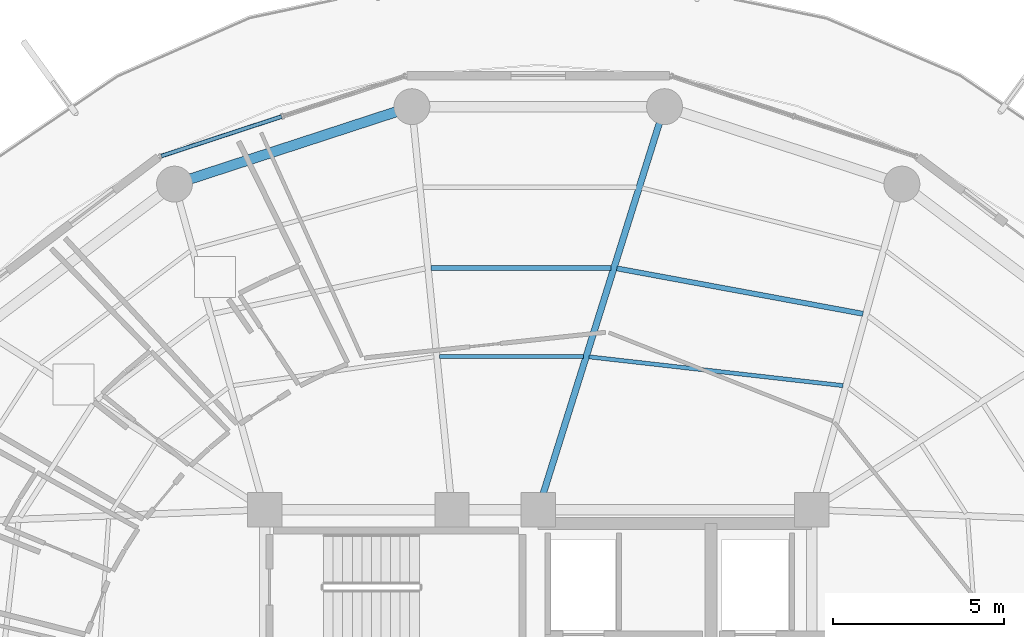
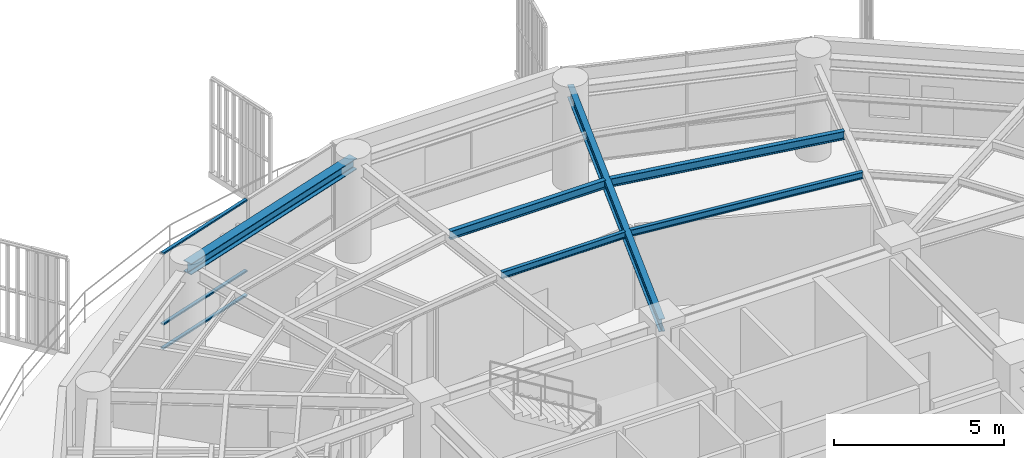
# One storey, part 19 of 31: 6 beams, 3 members, 1 element without a shape of its own.
"""IFC4 building model written with IfcOpenShell, lengths in metres."""

from ifc_helpers import new_model, si_unit, direction, frame, origin, origin_2d, place, context, subcontext, project, spatial, hollow_rectangle, i_section, extrude, material, layer, layer_set, material_profile, profile_set, type_object, element, aggregate, save


model = new_model("IFC4")

# Units and contexts
model_context = context("Model", 3, precision=1e-05, world=origin(), true_north=direction((0.0, 1.0)))
body_context = subcontext(model_context, "Body", "Model", "MODEL_VIEW")
ifc_project = project(units=[si_unit("LENGTHUNIT", "METRE"), si_unit("AREAUNIT", "SQUARE_METRE"), si_unit("VOLUMEUNIT", "CUBIC_METRE"), si_unit("PLANEANGLEUNIT", "RADIAN"), si_unit("MASSUNIT", "GRAM", prefix="KILO")], contexts=[model_context])

# Site, building, storey
site_placement = place(None, origin())
site = spatial("IfcSite", under=ifc_project, at=site_placement, CompositionType="ELEMENT")
building_placement = place(site_placement, origin())
building = spatial("IfcBuilding", under=site, at=building_placement, Name="Kelanora Arch Commons", CompositionType="ELEMENT")
storey_placement = place(building_placement, frame((0.0, 0.0, 226.949951171875)))
storey = spatial("IfcBuildingStorey", under=building, at=storey_placement, Name="L58", CompositionType="ELEMENT", Elevation=226.949951171875)

# Beams
ifc_material_1 = material(Name="Steel S355", Category="steel")
ifc_material_profile_1 = material_profile(ifc_material_1, i_section(OverallWidth=0.14990234375, OverallDepth=0.300048828125, WebThickness=0.007080078125, FlangeThickness=0.0107421875, FilletRadius=0.014892578125, at=origin_2d()), Name="IPE300")
ifc_profile_set_1 = profile_set([ifc_material_profile_1], Name="Steel S355")
beam_type_1 = type_object("IfcBeamType", Name="BM-JST-01", PredefinedType="JOIST", material=ifc_profile_set_1)
beam_1_placement = place(storey_placement, frame((83.50048828125, 70.729736328125, 3.340087890625), z_axis=(-0.983389964671, 0.181505309519, 0.0), x_axis=(-0.181505309519, -0.983389964671, 0.0)))
element("IfcBeam", 1, at=beam_1_placement, inside=storey, type_object=beam_type_1, Name="Secondary Chord Joist BJB-06 L58", PredefinedType="JOIST", context=body_context, shape_type="SweptSolid", body=[
    extrude(i_section(OverallWidth=0.14990234375, OverallDepth=0.300048828125, WebThickness=0.007080078125, FlangeThickness=0.0107421875, FilletRadius=0.014892578125, at=origin_2d()), origin(), (0.0, 0.0, 1.0), 7.3212890625),
])
beam_2_placement = place(storey_placement, frame((76.132080078125, 72.07421875, 3.340087890625), z_axis=(-1.0, 0.0, 0.0), x_axis=(0.0, -1.0, 0.0)))
element("IfcBeam", 2, at=beam_2_placement, inside=storey, type_object=beam_type_1, Name="Secondary Chord Joist BJB-08 L58", PredefinedType="JOIST", context=body_context, shape_type="SweptSolid", body=[
    extrude(i_section(OverallWidth=0.14990234375, OverallDepth=0.300048828125, WebThickness=0.007080078125, FlangeThickness=0.0107421875, FilletRadius=0.014892578125, at=origin_2d()), origin(), (0.0, 0.0, 1.0), 5.272216796875),
])
ifc_material_profile_2 = material_profile(ifc_material_1, i_section(OverallWidth=0.1201171875, OverallDepth=0.239990234375, WebThickness=0.006103515625, FlangeThickness=0.009765625, FilletRadius=0.014892578125, at=origin_2d()), Name="IPE240")
ifc_profile_set_2 = profile_set([ifc_material_profile_2], Name="Steel S355")
beam_type_2 = type_object("IfcBeamType", Name="BM-JST-02", PredefinedType="JOIST", material=ifc_profile_set_2)
beam_3_placement = place(storey_placement, frame((82.918701171875, 68.628662109375, 3.3701171875), z_axis=(-0.993639672263, 0.11260640171, 0.0), x_axis=(-0.11260640171, -0.993639672263, 0.0)))
element("IfcBeam", 3, at=beam_3_placement, inside=storey, type_object=beam_type_2, Name="Secondary Chord Joist BJA-06 L58", PredefinedType="JOIST", context=body_context, shape_type="SweptSolid", body=[
    extrude(i_section(OverallWidth=0.1201171875, OverallDepth=0.239990234375, WebThickness=0.006103515625, FlangeThickness=0.009765625, FilletRadius=0.014892578125, at=origin_2d()), origin(), (0.0, 0.0, 1.0), 7.477783203125),
])
beam_4_placement = place(storey_placement, frame((75.319091796875, 69.480224609375, 3.3701171875), z_axis=(-1.0, 0.0, 0.0), x_axis=(0.0, -1.0, 0.0)))
element("IfcBeam", 4, at=beam_4_placement, inside=storey, type_object=beam_type_2, Name="Secondary Chord Joist BJA-08 L58", PredefinedType="JOIST", context=body_context, shape_type="SweptSolid", body=[
    extrude(i_section(OverallWidth=0.1201171875, OverallDepth=0.239990234375, WebThickness=0.006103515625, FlangeThickness=0.009765625, FilletRadius=0.014892578125, at=origin_2d()), origin(), (0.0, 0.0, 1.0), 4.20068359375),
])
ifc_material_profile_3 = material_profile(ifc_material_1, i_section(OverallWidth=0.18994140625, OverallDepth=0.449951171875, WebThickness=0.009521484375, FlangeThickness=0.0146484375, FilletRadius=0.02099609375, at=origin_2d()), Name="IPE450")
ifc_profile_set_3 = profile_set([ifc_material_profile_3], Name="Steel S355")
beam_type_3 = type_object("IfcBeamType", Name="BM-RAD-Z4", PredefinedType="BEAM", material=ifc_profile_set_3)
beam_5_placement = place(storey_placement, frame((74.0, 65.0, 3.26513671875), z_axis=(0.299080457492, 0.954227897279, 0.0), x_axis=(-0.954227897279, 0.299080457492, 0.0)))
element("IfcBeam", 5, at=beam_5_placement, inside=storey, type_object=beam_type_3, Name="Radial Floor Girder BR-08 L58", PredefinedType="BEAM", context=body_context, shape_type="SweptSolid", body=[
    extrude(i_section(OverallWidth=0.18994140625, OverallDepth=0.449951171875, WebThickness=0.009521484375, FlangeThickness=0.0146484375, FilletRadius=0.02099609375, at=origin_2d()), origin(), (0.0, 0.0, 1.0), 12.35546875),
])
ifc_material_profile_4 = material_profile(ifc_material_1, i_section(OverallWidth=0.300048828125, OverallDepth=0.39990234375, WebThickness=0.013427734375, FlangeThickness=0.02392578125, FilletRadius=0.027099609375, at=origin_2d()), Name="HEB400")
ifc_profile_set_4 = profile_set([ifc_material_profile_4], Name="Steel S355")
beam_type_4 = type_object("IfcBeamType", Name="BM-SPN-Z4", PredefinedType="SPANDREL", material=ifc_profile_set_4)
beam_6_placement = place(storey_placement, frame((70.3046875, 76.7900390625, 3.2900390625), z_axis=(-0.950656361143, -0.310245842872, 0.0), x_axis=(0.310245842872, -0.950656361143, 0.0)))
element("IfcBeam", 6, at=beam_6_placement, inside=storey, type_object=beam_type_4, Name="Perimeter Spandrel Beam BS-10 L58", PredefinedType="SPANDREL", context=body_context, shape_type="SweptSolid", body=[
    extrude(i_section(OverallWidth=0.300048828125, OverallDepth=0.39990234375, WebThickness=0.013427734375, FlangeThickness=0.02392578125, FilletRadius=0.027099609375, at=origin_2d()), origin(), (0.0, 0.0, 1.0), 7.304931640625),
])

# Curtain wall, members
ifc_material_2 = material(Name="Terracotta ceramic-fritted low-E glass and aluminium", Category="masonry")
ifc_layer = layer(ifc_material_2, 0.175048828125)
ifc_layer_set = layer_set([ifc_layer], Name="Terracotta ceramic-fritted low-E glass and aluminium")
curtain_wall_type = type_object("IfcCurtainWallType", Name="CW-SYS-02", PredefinedType="NOTDEFINED", material=ifc_layer_set)
curtain_wall_placement = place(storey_placement, origin())
curtain_wall = element("IfcCurtainWall", 7, at=curtain_wall_placement, inside=storey, type_object=curtain_wall_type, Name="Unitised Curtain Wall L58-B05", PredefinedType="NOTDEFINED")
ifc_material_3 = material(Name="Powder-coated aluminium terracotta", Category="masonry")
ifc_material_profile_5 = material_profile(ifc_material_3, hollow_rectangle(XDim=0.1201171875, YDim=0.06005859375, WallThickness=0.0048828125, InnerFilletRadius=0.0048828125, OuterFilletRadius=0.010009765625, at=origin_2d()), Name="CWT120x60")
ifc_profile_set_5 = profile_set([ifc_material_profile_5], Name="Powder-coated aluminium terracotta")
member_type = type_object("IfcMemberType", Name="CWT-STD", PredefinedType="USERDEFINED", material=ifc_profile_set_5)
member_1_placement = place(storey_placement, frame((66.493896484375, 76.4990234375, 0.030029296875), z_axis=(-0.950226025222, -0.311561392011, 0.0), x_axis=(0.311561392011, -0.950226025222, 0.0)))
member_1 = element("IfcMember", 8, at=member_1_placement, type_object=member_type, Name="CW-02 transom 2.1", ObjectType="TRANSOM", PredefinedType="USERDEFINED", context=body_context, shape_type="SweptSolid", body=[
    extrude(hollow_rectangle(XDim=0.1201171875, YDim=0.06005859375, WallThickness=0.0048828125, InnerFilletRadius=0.0048828125, OuterFilletRadius=0.010009765625, at=origin_2d()), origin(), (0.0, 0.0, 1.0), 3.707275390625),
])
member_2_placement = place(storey_placement, frame((66.493896484375, 76.4990234375, 0.900146484375), z_axis=(-0.950226025222, -0.311561392011, 0.0), x_axis=(0.311561392011, -0.950226025222, 0.0)))
member_2 = element("IfcMember", 9, at=member_2_placement, type_object=member_type, Name="CW-02 transom 2.2", ObjectType="TRANSOM", PredefinedType="USERDEFINED", context=body_context, shape_type="SweptSolid", body=[
    extrude(hollow_rectangle(XDim=0.1201171875, YDim=0.06005859375, WallThickness=0.0048828125, InnerFilletRadius=0.0048828125, OuterFilletRadius=0.010009765625, at=origin_2d()), origin(), (0.0, 0.0, 1.0), 3.707275390625),
])
member_3_placement = place(storey_placement, frame((66.493896484375, 76.4990234375, 3.445068359375), z_axis=(-0.950226025222, -0.311561392011, 0.0), x_axis=(0.311561392011, -0.950226025222, 0.0)))
member_3 = element("IfcMember", 10, at=member_3_placement, type_object=member_type, Name="CW-02 transom 2.3", ObjectType="TRANSOM", PredefinedType="USERDEFINED", context=body_context, shape_type="SweptSolid", body=[
    extrude(hollow_rectangle(XDim=0.1201171875, YDim=0.06005859375, WallThickness=0.0048828125, InnerFilletRadius=0.0048828125, OuterFilletRadius=0.010009765625, at=origin_2d()), origin(), (0.0, 0.0, 1.0), 3.707275390625),
])
aggregate(curtain_wall, [member_1, member_2, member_3])

save(model, "model.ifc")
